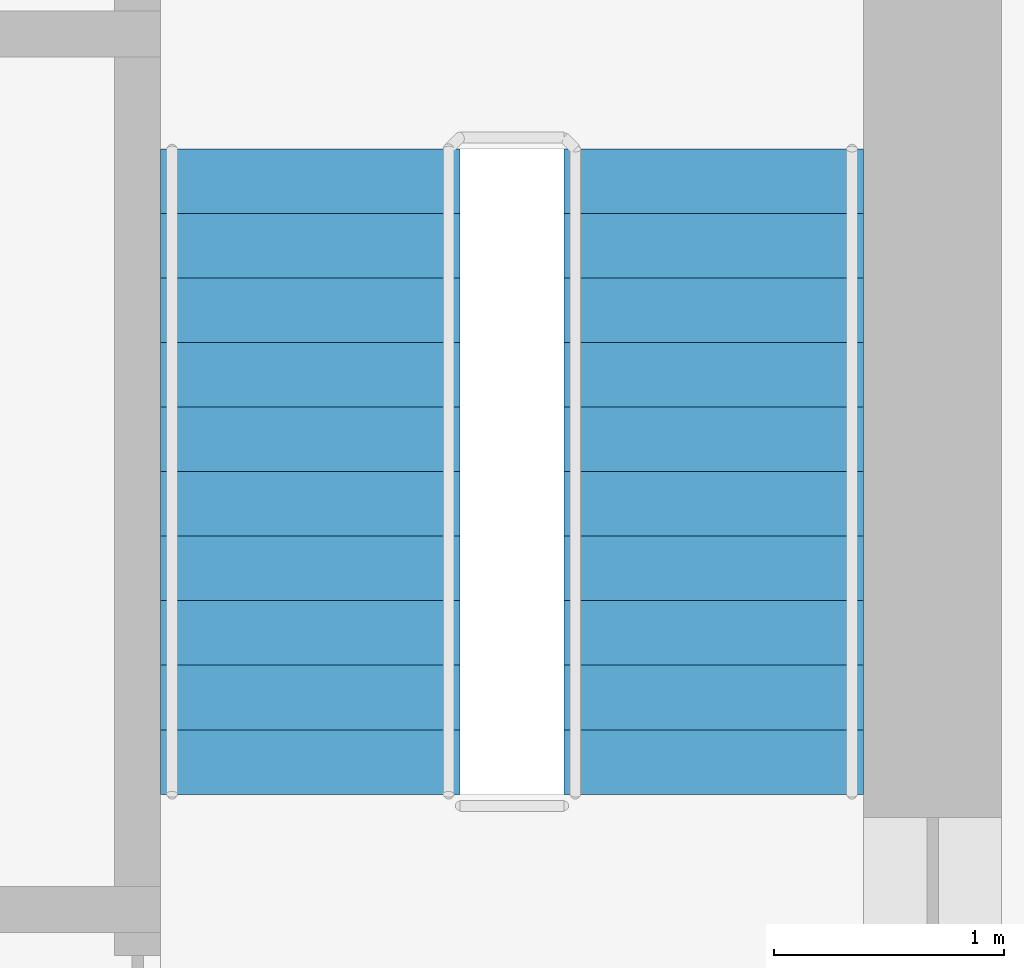
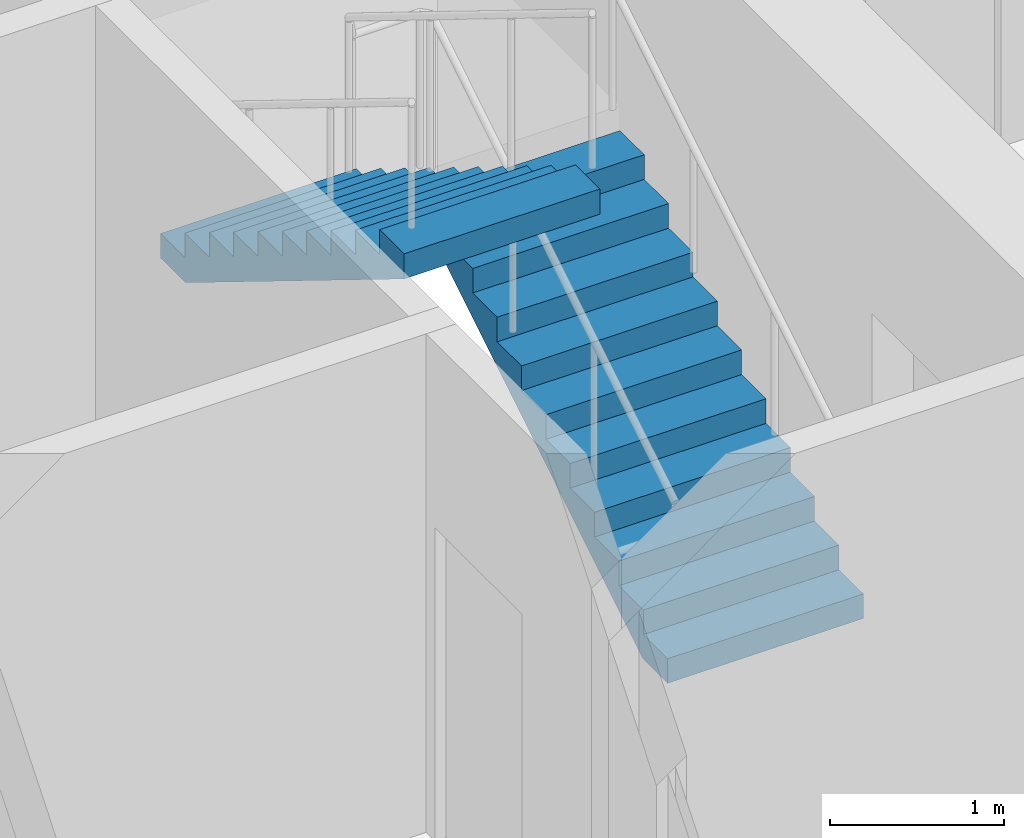
# One storey, part 8 of 12: 2 stair flights, 1 element without a shape of its own.
"""IFC4 building model written with IfcOpenShell, lengths in metres."""

import ifcopenshell
import ifcopenshell.guid

model = None  # the IFC model being written
_history = None  # IfcOwnerHistory: only IFC2X3 demands one
_inside = {}  # id of a spatial element -> (the spatial element, [elements in it])
_under = {}  # id of a project, library or spatial element -> (it, [spatial elements below it])
_declared = {}  # id of a project -> (the project, [libraries it declares])
_typed = {}  # id of a type object -> (the type object, [elements of that type])
_made_of = {}  # id of a material, layer set ... -> (it, [elements and type objects made of it])


def new_model(schema):
    """Start an empty IFC model of exactly this schema.

    Asked for "IFC4X3", IfcOpenShell would pick the latest addendum, in which some entities
    have other attributes; the version numbers below select the first issue.
    IFC2X3 requires an IfcOwnerHistory on every rooted entity: one is made here for all.
    """
    global model, _history
    if schema == "IFC4X3":
        model = ifcopenshell.file(schema_version=(4, 3, 0, 0))
    else:
        model = ifcopenshell.file(schema=schema)
    _inside.clear()
    _under.clear()
    _declared.clear()
    _typed.clear()
    _made_of.clear()
    _history = None
    if model.schema == "IFC2X3":
        org = make("IfcOrganization", Name="unknown")
        user = make(
            "IfcPersonAndOrganization",
            ThePerson=make("IfcPerson", FamilyName="unknown"),
            TheOrganization=org,
        )
        app = make(
            "IfcApplication",
            ApplicationDeveloper=org,
            Version="unknown",
            ApplicationFullName="unknown",
            ApplicationIdentifier="unknown",
        )
        _history = make(
            "IfcOwnerHistory",
            OwningUser=user,
            OwningApplication=app,
            ChangeAction="ADDED",
            CreationDate=0,
        )
    return model


def make(cls, **values):
    """One entity of the class cls with the attributes given. An attribute that is None is left unset."""
    return model.create_entity(
        cls, **{name: value for name, value in values.items() if value is not None}
    )


def rooted(cls, **values):
    """An entity with a GlobalId (a new one), such as an element, a storey or a relation."""
    return make(cls, GlobalId=ifcopenshell.guid.new(), OwnerHistory=_history, **values)


def si_unit(unit_type, name, prefix=None):
    """IfcSIUnit, for example si_unit("LENGTHUNIT", "METRE", prefix="MILLI")."""
    return make("IfcSIUnit", UnitType=unit_type, Prefix=prefix, Name=name)


def assignment(units):
    """IfcUnitAssignment: the units of a project."""
    return None if units is None else make("IfcUnitAssignment", Units=units)


def point(xyz):
    """IfcCartesianPoint."""
    return None if xyz is None else make("IfcCartesianPoint", Coordinates=xyz)


def direction(xyz):
    """IfcDirection."""
    return None if xyz is None else make("IfcDirection", DirectionRatios=xyz)


def frame(location, z_axis=None, x_axis=None):
    """IfcAxis2Placement3D, a coordinate frame: its origin and axes. An axis left out is left unset."""
    return make(
        "IfcAxis2Placement3D",
        Location=point(location),
        Axis=direction(z_axis),
        RefDirection=direction(x_axis),
    )


def origin():
    """The frame at (0, 0, 0) with its axes left unset."""
    return frame((0.0, 0.0, 0.0))


def place(relative_to, where):
    """IfcLocalPlacement: puts the frame where relative to a parent placement (None: the world)."""
    return make(
        "IfcLocalPlacement", PlacementRelTo=relative_to, RelativePlacement=where
    )


def context(
    kind, dimensions, precision=None, world=None, true_north=None, identifier=None
):
    """IfcGeometricRepresentationContext, for example the 3D "Model" context."""
    return make(
        "IfcGeometricRepresentationContext",
        ContextIdentifier=identifier,
        ContextType=kind,
        CoordinateSpaceDimension=dimensions,
        Precision=precision,
        WorldCoordinateSystem=world,
        TrueNorth=true_north,
    )


def subcontext(parent, identifier, kind, view, scale=None):
    """IfcGeometricRepresentationSubContext, for example "Body" below "Model"."""
    return make(
        "IfcGeometricRepresentationSubContext",
        ContextIdentifier=identifier,
        ContextType=kind,
        ParentContext=parent,
        TargetScale=scale,
        TargetView=view,
    )


def project(units=None, contexts=None):
    """IfcProject with its units and contexts."""
    return rooted(
        "IfcProject",
        Name="project",
        RepresentationContexts=contexts,
        UnitsInContext=assignment(units),
    )


def spatial(cls, under=None, at=None, **own):
    """A site, building, storey or space (cls), placed at a placement, below another one or the project."""
    s = rooted(cls, ObjectPlacement=at, **own)
    if under is not None:
        _under.setdefault(under.id(), (under, []))[1].append(s)
    return s


def polyline(points):
    """IfcPolyline through the points."""
    return make("IfcPolyline", Points=[point(p) for p in points])


def outline(outer, holes=None, kind="AREA"):
    """IfcArbitraryClosedProfileDef: a profile drawn as a closed curve; with holes, ...WithVoids."""
    if holes is None:
        return make("IfcArbitraryClosedProfileDef", ProfileType=kind, OuterCurve=outer)
    return make(
        "IfcArbitraryProfileDefWithVoids",
        ProfileType=kind,
        OuterCurve=outer,
        InnerCurves=holes,
    )


def extrude(swept, where, along, depth):
    """IfcExtrudedAreaSolid: the profile swept, set in the frame where, extruded along a direction by depth."""
    return make(
        "IfcExtrudedAreaSolid",
        SweptArea=swept,
        Position=where,
        ExtrudedDirection=direction(along),
        Depth=depth,
    )


def shape(context_of_items, identifier, shape_type, items):
    """IfcShapeRepresentation: the items that make up one representation, for example the "Body"."""
    return make(
        "IfcShapeRepresentation",
        ContextOfItems=context_of_items,
        RepresentationIdentifier=identifier,
        RepresentationType=shape_type,
        Items=items,
    )


def material(Name=None, Category=None):
    """IfcMaterial."""
    return make("IfcMaterial", Name=Name, Category=Category)


def made_of(thing, what):
    """Note that an element or type object is made of a material, layer set ...; save() writes the relation."""
    if what is not None:
        _made_of.setdefault(what.id(), (what, []))[1].append(thing)
    return thing


def type_object(cls, material=None, **own):
    """A type object (cls), such as IfcWallType, which elements share."""
    return made_of(rooted(cls, **own), material)


def element(
    cls,
    number,
    at=None,
    inside=None,
    cuts=None,
    type_object=None,
    material=None,
    context=None,
    identifier="Body",
    shape_type=None,
    held_by="IfcProductDefinitionShape",
    body=None,
    shapes=None,
    **own,
):
    """One element of the class cls, such as IfcWall. Its Tag is "e" and its number.

    at: its placement. inside: the storey or other place that contains it. cuts: it is an
    opening in that element (IfcRelVoidsElement). A single representation is given by context,
    identifier, shape_type and body (its items); several are given by shapes. held_by: the class
    of the entity that holds the representations. save() writes the other relations.
    """
    e = rooted(cls, Tag="e%d" % number, ObjectPlacement=at, **own)
    if body is not None:
        shapes = [shape(context, identifier, shape_type, body)]
    if shapes is not None:
        e.Representation = make(held_by, Representations=shapes)
    if inside is not None:
        _inside.setdefault(inside.id(), (inside, []))[1].append(e)
    if cuts is not None:
        rooted(
            "IfcRelVoidsElement", RelatingBuildingElement=cuts, RelatedOpeningElement=e
        )
    if type_object is not None:
        _typed.setdefault(type_object.id(), (type_object, []))[1].append(e)
    return made_of(e, material)


def aggregate(whole, parts):
    """IfcRelAggregates: a whole, such as a stair, and the parts it consists of."""
    return rooted("IfcRelAggregates", RelatingObject=whole, RelatedObjects=parts)


def save(model, path):
    """Write the relations noted so far, then the file.

    IfcRelAggregates (storeys below a building ...), IfcRelContainedInSpatialStructure (elements
    in a storey), IfcRelDefinesByType, IfcRelAssociatesMaterial and IfcRelDeclares: one each for
    every whole, place, type object, material and project.
    """
    for whole, parts in _under.values():
        aggregate(whole, parts)
    for where, things in _inside.values():
        rooted(
            "IfcRelContainedInSpatialStructure",
            RelatedElements=things,
            RelatingStructure=where,
        )
    for kind, things in _typed.values():
        rooted("IfcRelDefinesByType", RelatedObjects=things, RelatingType=kind)
    for what, things in _made_of.values():
        rooted("IfcRelAssociatesMaterial", RelatedObjects=things, RelatingMaterial=what)
    for by, libraries in _declared.values():
        rooted("IfcRelDeclares", RelatingContext=by, RelatedDefinitions=libraries)
    model.write(path)


model = new_model("IFC4")

# Units and contexts
model_context = context("Model", 3, precision=1e-05, world=origin(), true_north=direction((0.0, 1.0)))
body_context = subcontext(model_context, "Body", "Model", "MODEL_VIEW")
ifc_project = project(units=[si_unit("LENGTHUNIT", "METRE"), si_unit("AREAUNIT", "SQUARE_METRE"), si_unit("VOLUMEUNIT", "CUBIC_METRE"), si_unit("PLANEANGLEUNIT", "RADIAN"), si_unit("MASSUNIT", "GRAM", prefix="KILO")], contexts=[model_context])

# Site, building, storey
site_placement = place(None, origin())
site = spatial("IfcSite", under=ifc_project, at=site_placement, CompositionType="ELEMENT")
building_placement = place(site_placement, origin())
building = spatial("IfcBuilding", under=site, at=building_placement, Name="Orbiselva Terraces", CompositionType="ELEMENT")
storey_placement = place(building_placement, frame((0.0, 0.0, 214.8)))
storey = spatial("IfcBuildingStorey", under=building, at=storey_placement, Name="L54", CompositionType="ELEMENT", Elevation=214.8)

# Stair, stair flights
ifc_material = material(Name="Concrete C40/50", Category="concrete")
stair_type = type_object("IfcStairType", Name="CORE-STAIR-1300", PredefinedType="HALF_TURN_STAIR", material=ifc_material)
stair_placement = place(storey_placement, origin())
stair = element("IfcStair", 1, at=stair_placement, inside=storey, type_object=stair_type, Name="L54 Exit Stair S2", PredefinedType="HALF_TURN_STAIR")
stair_flight_type = type_object("IfcStairFlightType", Name="CORE-STAIR-FLIGHT-1300", PredefinedType="STRAIGHT", material=ifc_material)
stair_flight_1_placement = place(storey_placement, frame((12.25, 12.7, 0.0), z_axis=(0.0, 0.0, 1.0), x_axis=(0.0, 1.0, 0.0)))
stair_flight_1 = element("IfcStairFlight", 2, at=stair_flight_1_placement, type_object=stair_flight_type, Name="S2 flight 1", NumberOfRisers=11, NumberOfTreads=10, PredefinedType="STRAIGHT", RiserHeight=0.172727273, TreadLength=0.28, context=body_context, shape_type="SweptSolid", body=[
    extrude(outline(polyline([(0.0, 0.0), (0.0, 0.172727), (0.28, 0.172727), (0.28, 0.345455), (0.56, 0.345455), (0.56, 0.518182), (0.84, 0.518182), (0.84, 0.690909), (1.12, 0.690909), (1.12, 0.863636), (1.4, 0.863636), (1.4, 1.036364), (1.68, 1.036364), (1.68, 1.209091), (1.96, 1.209091), (1.96, 1.381818), (2.24, 1.381818), (2.24, 1.554545), (2.52, 1.554545), (2.52, 1.727273), (2.8, 1.727273), (2.8, 1.9), (2.8, 1.551028), (0.285702, 0.0), (0.0, 0.0)])), frame((0.0, 0.65, 0.0), z_axis=(0.0, -1.0, 0.0), x_axis=(1.0, 0.0, 0.0)), (0.0, 0.0, 1.0), 1.3),
])
stair_flight_2_placement = place(storey_placement, frame((10.5, 15.5, 1.9), z_axis=(0.0, 0.0, 1.0), x_axis=(0.0, -1.0, 0.0)))
stair_flight_2 = element("IfcStairFlight", 3, at=stair_flight_2_placement, type_object=stair_flight_type, Name="S2 flight 2", NumberOfRisers=11, NumberOfTreads=10, PredefinedType="STRAIGHT", RiserHeight=0.172727273, TreadLength=0.28, context=body_context, shape_type="SweptSolid", body=[
    extrude(outline(polyline([(0.0, 0.0), (0.0, 0.172727), (0.28, 0.172727), (0.28, 0.345455), (0.56, 0.345455), (0.56, 0.518182), (0.84, 0.518182), (0.84, 0.690909), (1.12, 0.690909), (1.12, 0.863636), (1.4, 0.863636), (1.4, 1.036364), (1.68, 1.036364), (1.68, 1.209091), (1.96, 1.209091), (1.96, 1.381818), (2.24, 1.381818), (2.24, 1.554545), (2.52, 1.554545), (2.52, 1.727273), (2.8, 1.727273), (2.8, 1.9), (2.8, 1.551028), (0.285702, 0.0), (0.0, 0.0)])), frame((0.0, 0.65, 0.0), z_axis=(0.0, -1.0, 0.0), x_axis=(1.0, 0.0, 0.0)), (0.0, 0.0, 1.0), 1.3),
])
aggregate(stair, [stair_flight_1, stair_flight_2])

save(model, "model.ifc")
